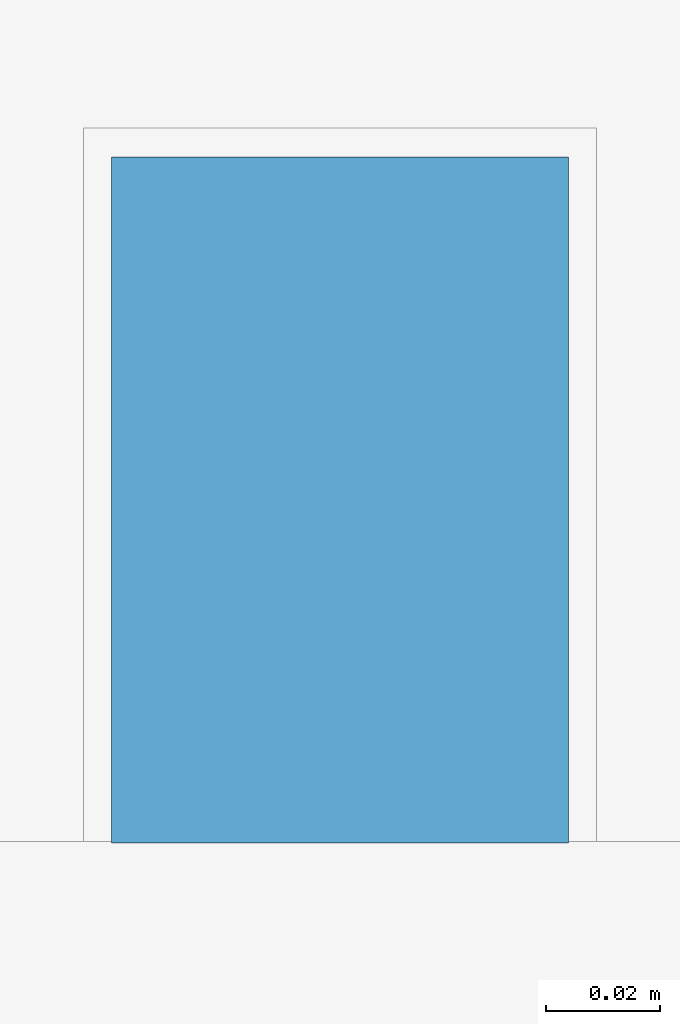
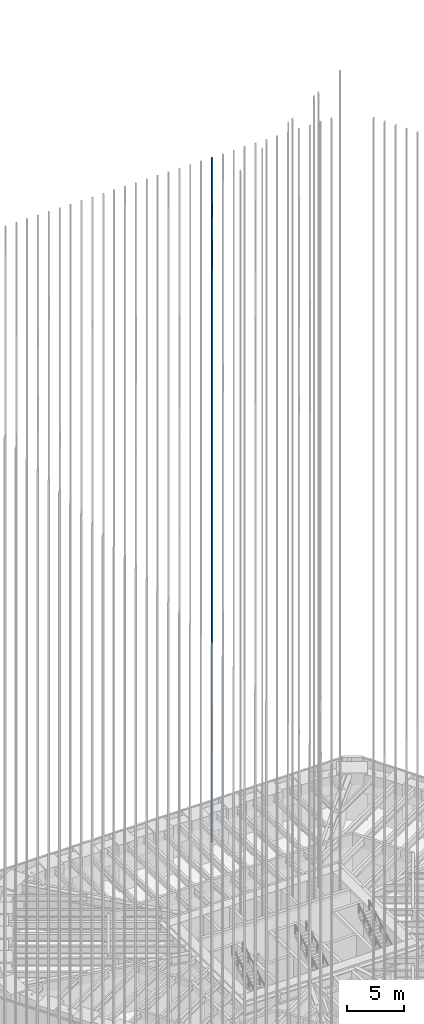
# One storey, part 202 of 228: 1 member, 1 element without a shape of its own.
"""IFC4 building model written with IfcOpenShell, lengths in metres."""

from ifc_helpers import new_model, si_unit, direction, frame, origin, origin_2d, place, context, subcontext, project, spatial, rectangle, extrude, material, material_profile, profile_set, type_object, element, aggregate, save


model = new_model("IFC4")

# Units and contexts
model_context = context("Model", 3, precision=1e-05, world=origin(), true_north=direction((0.0, 1.0)))
body_context = subcontext(model_context, "Body", "Model", "MODEL_VIEW")
ifc_project = project(units=[si_unit("LENGTHUNIT", "METRE"), si_unit("AREAUNIT", "SQUARE_METRE"), si_unit("VOLUMEUNIT", "CUBIC_METRE"), si_unit("PLANEANGLEUNIT", "RADIAN"), si_unit("MASSUNIT", "GRAM", prefix="KILO")], contexts=[model_context])

# Site, building, storey
site_placement = place(None, origin())
site = spatial("IfcSite", under=ifc_project, at=site_placement, CompositionType="ELEMENT")
building_placement = place(site_placement, origin())
building = spatial("IfcBuilding", under=site, at=building_placement, Name="Sandreach Pilgrim Tower", CompositionType="ELEMENT")
storey_placement = place(building_placement, frame((0.0, 0.0, 178.199951171875)))
storey = spatial("IfcBuildingStorey", under=building, at=storey_placement, Name="L44", CompositionType="ELEMENT", Elevation=178.199951171875)

# Curtain wall, member
ifc_material_1 = material(Name="Aluminium framed curtain wall", Category="aluminium")
curtain_wall_type = type_object("IfcCurtainWallType", Name="Upper hotel tower curtain wall", PredefinedType="NOTDEFINED", material=ifc_material_1)
curtain_wall_placement = place(storey_placement, origin())
curtain_wall = element("IfcCurtainWall", 1, at=curtain_wall_placement, inside=storey, type_object=curtain_wall_type, Name="CW-3 L44 N", PredefinedType="NOTDEFINED")
ifc_material_2 = material(Name="Extruded terracotta on aluminium core", Category="masonry")
ifc_material_profile = material_profile(ifc_material_2, rectangle(XDim=0.080078125, YDim=0.1201171875, at=origin_2d()), Name="TBN 80X120")
ifc_profile_set = profile_set([ifc_material_profile], Name="Extruded terracotta on aluminium core")
member_type = type_object("IfcMemberType", Name="Terracotta baguette north", PredefinedType="USERDEFINED", material=ifc_profile_set)
member_placement = place(storey_placement, frame((4.3994140625, 21.52001953125, 0.0), z_axis=(0.0, 0.0, 1.0), x_axis=(1.0, 0.0, 0.0)))
member = element("IfcMember", 2, at=member_placement, type_object=member_type, Name="Baguette Z3 N20", ObjectType="BAGUETTE", PredefinedType="USERDEFINED", context=body_context, shape_type="SweptSolid", body=[
    extrude(rectangle(XDim=0.080078125, YDim=0.1201171875, at=origin_2d()), origin(), (0.0, 0.0, 1.0), 73.239990234375),
])
aggregate(curtain_wall, [member])

save(model, "model.ifc")
